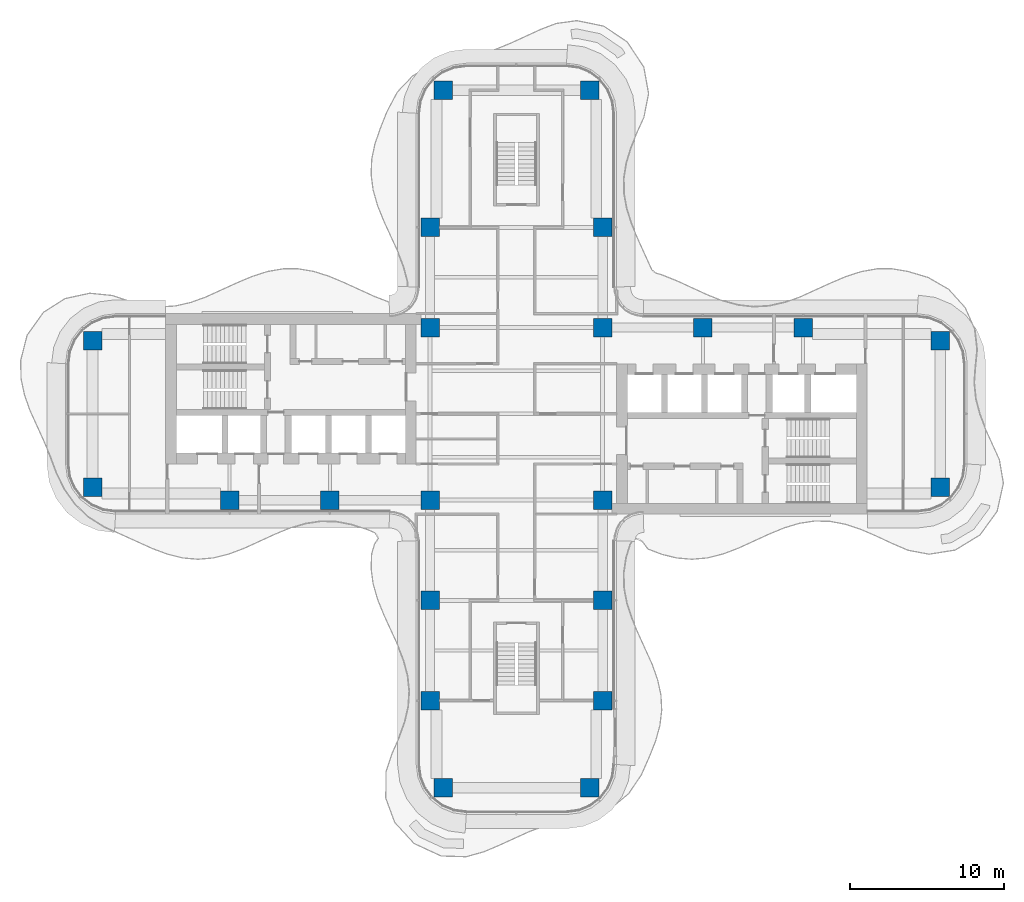
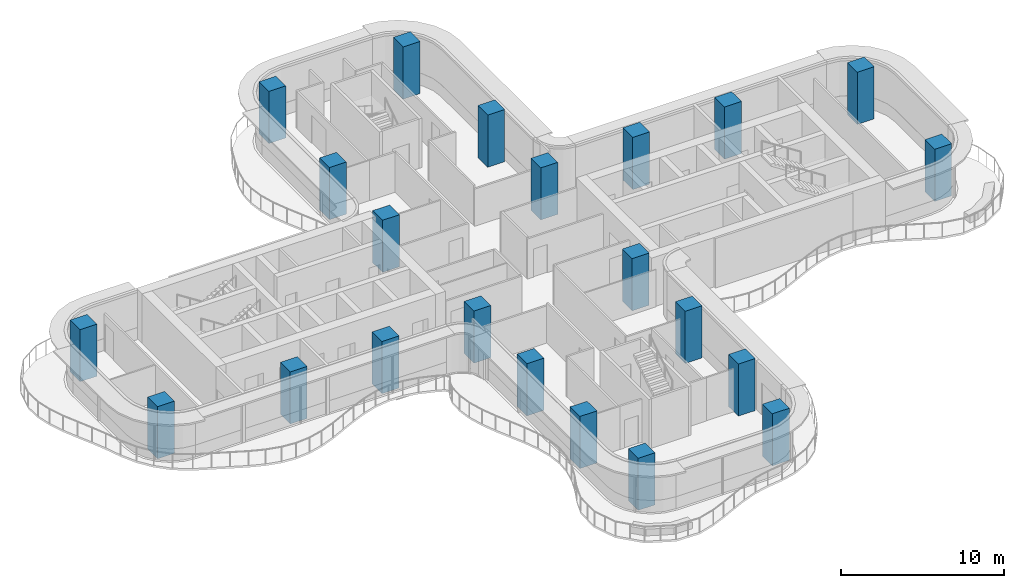
# One storey, part 1 of 19: 22 columns.
"""IFC4 building model written with IfcOpenShell, lengths in metres."""

from ifc_helpers import new_model, si_unit, direction, frame, origin, origin_2d, place, context, subcontext, project, spatial, rectangle, extrude, source, transform, mapped, material, material_profile, profile_set, type_object, element, save


model = new_model("IFC4")

# Units and contexts
model_context = context("Model", 3, precision=1e-05, world=origin(), true_north=direction((0.0, 1.0)))
body_context = subcontext(model_context, "Body", "Model", "MODEL_VIEW")
ifc_project = project(units=[si_unit("LENGTHUNIT", "METRE"), si_unit("AREAUNIT", "SQUARE_METRE"), si_unit("VOLUMEUNIT", "CUBIC_METRE"), si_unit("PLANEANGLEUNIT", "RADIAN"), si_unit("MASSUNIT", "GRAM", prefix="KILO")], contexts=[model_context])

# Site, building, storey
site_placement = place(None, origin())
site = spatial("IfcSite", under=ifc_project, at=site_placement, CompositionType="ELEMENT")
building_placement = place(site_placement, origin())
building = spatial("IfcBuilding", under=site, at=building_placement, Name="Trellis Farm Tower", CompositionType="ELEMENT")
storey_placement = place(building_placement, frame((0.0, 0.0, 197.10009765625)))
storey = spatial("IfcBuildingStorey", under=building, at=storey_placement, Name="L43", CompositionType="ELEMENT", Elevation=197.10009765625)

# Columns
ifc_material = material(Name="Concrete C70/85", Category="concrete")
ifc_material_profile = material_profile(ifc_material, rectangle(XDim=1.199951171875, YDim=1.199951171875, at=origin_2d()), Name="RC column 1200x1200 C70/85")
ifc_profile_set = profile_set([ifc_material_profile], Name="Concrete C70/85")
column_type = type_object("IfcColumnType", Name="RC column 1200x1200 C70/85", PredefinedType="COLUMN", material=ifc_profile_set)
shared_shape = source(origin(), body_context, "Body", "SweptSolid", [
    extrude(rectangle(XDim=1.199951171875, YDim=1.199951171875, at=origin_2d()), origin(), (0.0, 0.0, 1.0), 3.89990234375),
])
for number, where, z_axis, x_axis, name in (
    (1, (12.10009765625, 5.60009765625, 0.0), (0.0, 0.0, 1.0), (1.0, 0.0, 0.0), "Column"),
    (2, (18.60009765625, 5.60009765625, 0.0), (0.0, 0.0, 1.0), (1.0, 0.0, 0.0), "Column"),
    (3, (27.5, 4.75, 0.0), (0.0, 0.0, 1.0), (1.0, 0.0, 0.0), "Column"),
    (4, (27.5, -4.75, 0.0), (0.0, 0.0, 1.0), (1.0, 0.0, 0.0), "Column"),
    (5, (-5.60009765625, 12.10009765625, 0.0), (0.0, 0.0, 1.0), (1.0, 0.0, 0.0), "Column"),
    (6, (-4.75, 21.0, 0.0), (0.0, 0.0, 1.0), (1.0, 0.0, 0.0), "Column"),
    (7, (5.60009765625, 12.10009765625, 0.0), (0.0, 0.0, 1.0), (1.0, 0.0, 0.0), "Column"),
    (8, (4.75, 21.0, 0.0), (0.0, 0.0, 1.0), (1.0, 0.0, 0.0), "Column"),
    (9, (5.60009765625, 5.60009765625, 0.0), (0.0, 0.0, 1.0), (1.0, 0.0, 0.0), "Column"),
    (10, (-5.60009765625, 5.60009765625, 0.0), (0.0, 0.0, 1.0), (1.0, 0.0, 0.0), "Column"),
    (11, (5.60009765625, -5.60009765625, 0.0), (0.0, 0.0, 1.0), (1.0, 0.0, 0.0), "Column"),
    (12, (-5.60009765625, -5.60009765625, 0.0), (0.0, 0.0, 1.0), (1.0, 0.0, 0.0), "Column"),
    (13, (5.60009765625, -12.10009765625, 0.0), (0.0, 0.0, 1.0), (1.0, 0.0, 0.0), "Column"),
    (14, (5.60009765625, -18.60009765625, 0.0), (0.0, 0.0, 1.0), (1.0, 0.0, 0.0), "Column"),
    (15, (4.75, -24.25, 0.0), (0.0, 0.0, 1.0), (1.0, 0.0, 0.0), "Column"),
    (16, (-5.60009765625, -12.10009765625, 0.0), (0.0, 0.0, 1.0), (1.0, 0.0, 0.0), "Column"),
    (17, (-5.60009765625, -18.60009765625, 0.0), (0.0, 0.0, 1.0), (1.0, 0.0, 0.0), "Column"),
    (18, (-4.75, -24.25, 0.0), (0.0, 0.0, 1.0), (1.0, 0.0, 0.0), "Column"),
    (19, (-12.10009765625, -5.60009765625, 0.0), (0.0, 0.0, 1.0), (1.0, 0.0, 0.0), "Column"),
    (20, (-18.60009765625, -5.60009765625, 0.0), (0.0, 0.0, 1.0), (1.0, 0.0, 0.0), "Column"),
    (21, (-27.5, -4.75, 0.0), (0.0, 0.0, 1.0), (1.0, 0.0, 0.0), "Column"),
    (22, (-27.5, 4.75, 0.0), (0.0, 0.0, 1.0), (1.0, 0.0, 0.0), "Column"),
):
    element("IfcColumn", number, at=place(storey_placement, frame(where, z_axis=z_axis, x_axis=x_axis)), inside=storey, type_object=column_type, Name=name, PredefinedType="COLUMN", context=body_context, shape_type="MappedRepresentation", body=[
        mapped(shared_shape, transform((0.0, 0.0, 0.0))),
    ])

save(model, "model.ifc")
